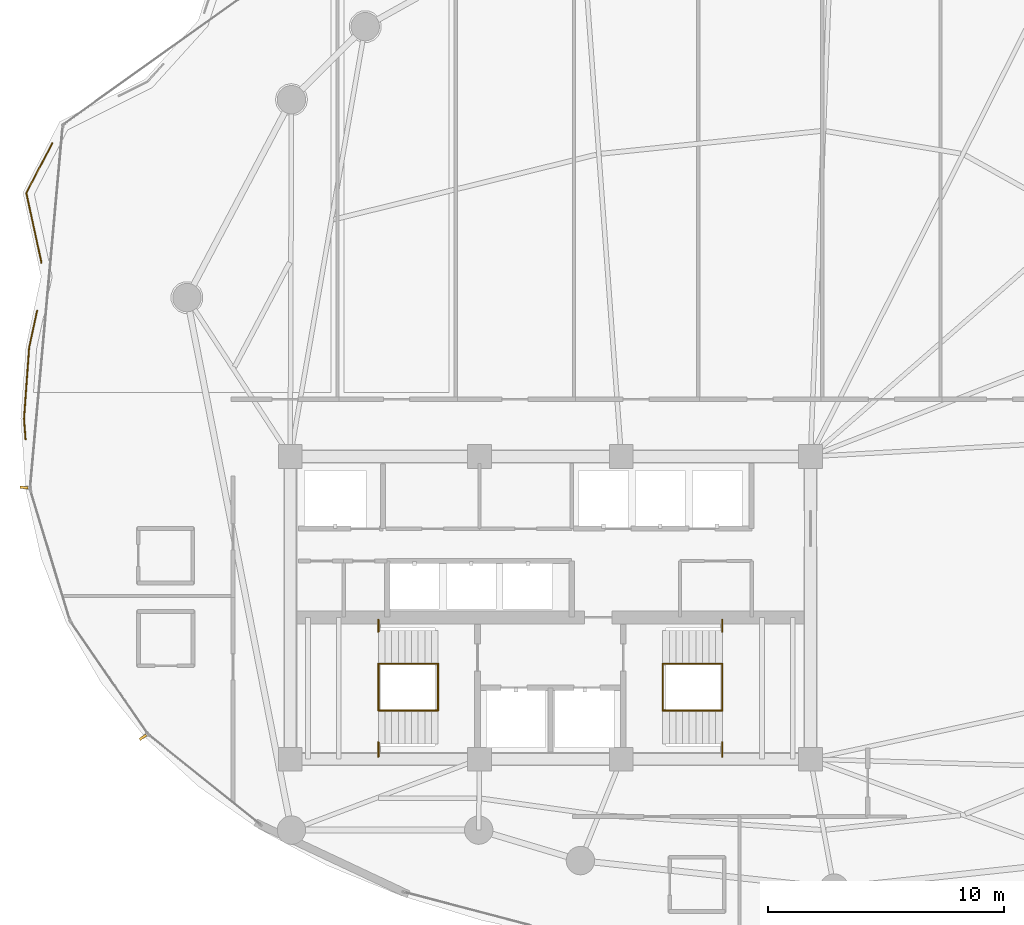
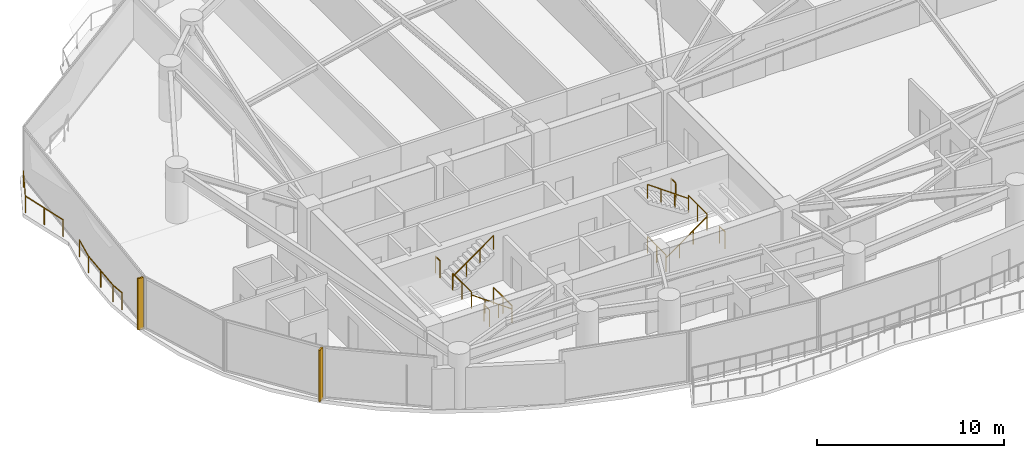
# One storey, part 31 of 33: 14 railings, 2 shading devices.
"""IFC4 building model written with IfcOpenShell, lengths in metres."""

import ifcopenshell
import ifcopenshell.guid

model = None  # the IFC model being written
_history = None  # IfcOwnerHistory: only IFC2X3 demands one
_inside = {}  # id of a spatial element -> (the spatial element, [elements in it])
_under = {}  # id of a project, library or spatial element -> (it, [spatial elements below it])
_declared = {}  # id of a project -> (the project, [libraries it declares])
_typed = {}  # id of a type object -> (the type object, [elements of that type])
_made_of = {}  # id of a material, layer set ... -> (it, [elements and type objects made of it])


def new_model(schema):
    """Start an empty IFC model of exactly this schema.

    Asked for "IFC4X3", IfcOpenShell would pick the latest addendum, in which some entities
    have other attributes; the version numbers below select the first issue.
    IFC2X3 requires an IfcOwnerHistory on every rooted entity: one is made here for all.
    """
    global model, _history
    if schema == "IFC4X3":
        model = ifcopenshell.file(schema_version=(4, 3, 0, 0))
    else:
        model = ifcopenshell.file(schema=schema)
    _inside.clear()
    _under.clear()
    _declared.clear()
    _typed.clear()
    _made_of.clear()
    _history = None
    if model.schema == "IFC2X3":
        org = make("IfcOrganization", Name="unknown")
        user = make(
            "IfcPersonAndOrganization",
            ThePerson=make("IfcPerson", FamilyName="unknown"),
            TheOrganization=org,
        )
        app = make(
            "IfcApplication",
            ApplicationDeveloper=org,
            Version="unknown",
            ApplicationFullName="unknown",
            ApplicationIdentifier="unknown",
        )
        _history = make(
            "IfcOwnerHistory",
            OwningUser=user,
            OwningApplication=app,
            ChangeAction="ADDED",
            CreationDate=0,
        )
    return model


def make(cls, **values):
    """One entity of the class cls with the attributes given. An attribute that is None is left unset."""
    return model.create_entity(
        cls, **{name: value for name, value in values.items() if value is not None}
    )


def rooted(cls, **values):
    """An entity with a GlobalId (a new one), such as an element, a storey or a relation."""
    return make(cls, GlobalId=ifcopenshell.guid.new(), OwnerHistory=_history, **values)


def si_unit(unit_type, name, prefix=None):
    """IfcSIUnit, for example si_unit("LENGTHUNIT", "METRE", prefix="MILLI")."""
    return make("IfcSIUnit", UnitType=unit_type, Prefix=prefix, Name=name)


def assignment(units):
    """IfcUnitAssignment: the units of a project."""
    return None if units is None else make("IfcUnitAssignment", Units=units)


def point(xyz):
    """IfcCartesianPoint."""
    return None if xyz is None else make("IfcCartesianPoint", Coordinates=xyz)


def direction(xyz):
    """IfcDirection."""
    return None if xyz is None else make("IfcDirection", DirectionRatios=xyz)


def frame(location, z_axis=None, x_axis=None):
    """IfcAxis2Placement3D, a coordinate frame: its origin and axes. An axis left out is left unset."""
    return make(
        "IfcAxis2Placement3D",
        Location=point(location),
        Axis=direction(z_axis),
        RefDirection=direction(x_axis),
    )


def frame_2d(location, x_axis=None):
    """IfcAxis2Placement2D, a coordinate frame in the plane: its origin and x axis."""
    return make(
        "IfcAxis2Placement2D", Location=point(location), RefDirection=direction(x_axis)
    )


def origin():
    """The frame at (0, 0, 0) with its axes left unset."""
    return frame((0.0, 0.0, 0.0))


def origin_2d():
    """The frame at (0, 0) in the plane with its x axis left unset."""
    return frame_2d((0.0, 0.0))


def place(relative_to, where):
    """IfcLocalPlacement: puts the frame where relative to a parent placement (None: the world)."""
    return make(
        "IfcLocalPlacement", PlacementRelTo=relative_to, RelativePlacement=where
    )


def context(
    kind, dimensions, precision=None, world=None, true_north=None, identifier=None
):
    """IfcGeometricRepresentationContext, for example the 3D "Model" context."""
    return make(
        "IfcGeometricRepresentationContext",
        ContextIdentifier=identifier,
        ContextType=kind,
        CoordinateSpaceDimension=dimensions,
        Precision=precision,
        WorldCoordinateSystem=world,
        TrueNorth=true_north,
    )


def subcontext(parent, identifier, kind, view, scale=None):
    """IfcGeometricRepresentationSubContext, for example "Body" below "Model"."""
    return make(
        "IfcGeometricRepresentationSubContext",
        ContextIdentifier=identifier,
        ContextType=kind,
        ParentContext=parent,
        TargetScale=scale,
        TargetView=view,
    )


def project(units=None, contexts=None):
    """IfcProject with its units and contexts."""
    return rooted(
        "IfcProject",
        Name="project",
        RepresentationContexts=contexts,
        UnitsInContext=assignment(units),
    )


def spatial(cls, under=None, at=None, **own):
    """A site, building, storey or space (cls), placed at a placement, below another one or the project."""
    s = rooted(cls, ObjectPlacement=at, **own)
    if under is not None:
        _under.setdefault(under.id(), (under, []))[1].append(s)
    return s


def profile(cls, at=None, kind="AREA", **sizes):
    """A parametric profile (cls). Its sizes go by their IFC names, for example OverallWidth=200.0."""
    return make(cls, ProfileType=kind, Position=at, **sizes)


def rectangle(**sizes):
    """IfcRectangleProfileDef."""
    return profile("IfcRectangleProfileDef", **sizes)


def extrude(swept, where, along, depth):
    """IfcExtrudedAreaSolid: the profile swept, set in the frame where, extruded along a direction by depth."""
    return make(
        "IfcExtrudedAreaSolid",
        SweptArea=swept,
        Position=where,
        ExtrudedDirection=direction(along),
        Depth=depth,
    )


def shape(context_of_items, identifier, shape_type, items):
    """IfcShapeRepresentation: the items that make up one representation, for example the "Body"."""
    return make(
        "IfcShapeRepresentation",
        ContextOfItems=context_of_items,
        RepresentationIdentifier=identifier,
        RepresentationType=shape_type,
        Items=items,
    )


def material(Name=None, Category=None):
    """IfcMaterial."""
    return make("IfcMaterial", Name=Name, Category=Category)


def made_of(thing, what):
    """Note that an element or type object is made of a material, layer set ...; save() writes the relation."""
    if what is not None:
        _made_of.setdefault(what.id(), (what, []))[1].append(thing)
    return thing


def type_object(cls, material=None, **own):
    """A type object (cls), such as IfcWallType, which elements share."""
    return made_of(rooted(cls, **own), material)


def element(
    cls,
    number,
    at=None,
    inside=None,
    cuts=None,
    type_object=None,
    material=None,
    context=None,
    identifier="Body",
    shape_type=None,
    held_by="IfcProductDefinitionShape",
    body=None,
    shapes=None,
    **own,
):
    """One element of the class cls, such as IfcWall. Its Tag is "e" and its number.

    at: its placement. inside: the storey or other place that contains it. cuts: it is an
    opening in that element (IfcRelVoidsElement). A single representation is given by context,
    identifier, shape_type and body (its items); several are given by shapes. held_by: the class
    of the entity that holds the representations. save() writes the other relations.
    """
    e = rooted(cls, Tag="e%d" % number, ObjectPlacement=at, **own)
    if body is not None:
        shapes = [shape(context, identifier, shape_type, body)]
    if shapes is not None:
        e.Representation = make(held_by, Representations=shapes)
    if inside is not None:
        _inside.setdefault(inside.id(), (inside, []))[1].append(e)
    if cuts is not None:
        rooted(
            "IfcRelVoidsElement", RelatingBuildingElement=cuts, RelatedOpeningElement=e
        )
    if type_object is not None:
        _typed.setdefault(type_object.id(), (type_object, []))[1].append(e)
    return made_of(e, material)


def aggregate(whole, parts):
    """IfcRelAggregates: a whole, such as a stair, and the parts it consists of."""
    return rooted("IfcRelAggregates", RelatingObject=whole, RelatedObjects=parts)


def save(model, path):
    """Write the relations noted so far, then the file.

    IfcRelAggregates (storeys below a building ...), IfcRelContainedInSpatialStructure (elements
    in a storey), IfcRelDefinesByType, IfcRelAssociatesMaterial and IfcRelDeclares: one each for
    every whole, place, type object, material and project.
    """
    for whole, parts in _under.values():
        aggregate(whole, parts)
    for where, things in _inside.values():
        rooted(
            "IfcRelContainedInSpatialStructure",
            RelatedElements=things,
            RelatingStructure=where,
        )
    for kind, things in _typed.values():
        rooted("IfcRelDefinesByType", RelatedObjects=things, RelatingType=kind)
    for what, things in _made_of.values():
        rooted("IfcRelAssociatesMaterial", RelatedObjects=things, RelatingMaterial=what)
    for by, libraries in _declared.values():
        rooted("IfcRelDeclares", RelatingContext=by, RelatedDefinitions=libraries)
    model.write(path)


model = new_model("IFC4")

# Units and contexts
model_context = context("Model", 3, precision=1e-05, world=origin(), true_north=direction((0.0, 1.0)))
body_context = subcontext(model_context, "Body", "Model", "MODEL_VIEW")
ifc_project = project(units=[si_unit("LENGTHUNIT", "METRE"), si_unit("AREAUNIT", "SQUARE_METRE"), si_unit("VOLUMEUNIT", "CUBIC_METRE"), si_unit("PLANEANGLEUNIT", "RADIAN"), si_unit("MASSUNIT", "GRAM", prefix="KILO")], contexts=[model_context])

# Site, building, storey
site_placement = place(None, origin())
site = spatial("IfcSite", under=ifc_project, at=site_placement, CompositionType="ELEMENT")
building_placement = place(site_placement, origin())
building = spatial("IfcBuilding", under=site, at=building_placement, Name="Kazevale Care Tower and Concert Hall", CompositionType="ELEMENT")
storey_placement = place(building_placement, frame((0.0, 0.0, 149.39990234375)))
storey = spatial("IfcBuildingStorey", under=building, at=storey_placement, Name="L39", CompositionType="ELEMENT", Elevation=149.39990234375)

# Railings
ifc_material_1 = material(Name="Anodised Bronze Aluminium and Laminated Glass", Category="aluminium")
railing_type_1 = type_object("IfcRailingType", Name="Balcony and Terrace Balustrade 1120", PredefinedType="BALUSTRADE", material=ifc_material_1)
railing_1_placement = place(storey_placement, frame((10.802978515625, 37.1298828125, 0.0)))
element("IfcRailing", 1, at=railing_1_placement, inside=storey, type_object=railing_type_1, Name="rail:L39:perim:1", PredefinedType="BALUSTRADE", context=body_context, shape_type="SweptSolid", body=[
    extrude(rectangle(XDim=0.048095703125, YDim=0.048095703125, at=origin_2d()), frame((0.0, 0.0, 1.09619140625), z_axis=(-0.072201637043, 0.9973900559, 0.0), x_axis=(-0.9973900559, -0.072201637043, 0.0)), (0.0, 0.0, 1.0), 0.872314453125),
    extrude(rectangle(XDim=0.048095703125, YDim=0.048095703125, at=origin_2d()), frame((-0.06298828125, 0.8701171875, 1.09619140625), z_axis=(0.071442989214, 0.997444684828, 0.0), x_axis=(-0.997444684828, 0.071442989214, 0.0)), (0.0, 0.0, 1.0), 3.0107421875),
    extrude(rectangle(XDim=0.048095703125, YDim=0.048095703125, at=origin_2d()), frame((0.152099609375, 3.873046875, 1.09619140625), z_axis=(0.211602003156, 0.977355918926, 0.0), x_axis=(-0.977355918926, 0.211602003156, 0.0)), (0.0, 0.0, 1.0), 1.59228515625),
    extrude(rectangle(XDim=0.0419921875, YDim=0.0419921875, at=origin_2d()), origin(), (0.0, 0.0, 1.0), 1.072021484375),
    extrude(rectangle(XDim=0.0419921875, YDim=0.0419921875, at=origin_2d()), frame((-0.06298828125, 0.8701171875, 0.0)), (0.0, 0.0, 1.0), 1.072021484375),
    extrude(rectangle(XDim=0.0419921875, YDim=0.0419921875, at=origin_2d()), frame((0.04443359375, 2.37158203125, 0.0)), (0.0, 0.0, 1.0), 1.072021484375),
    extrude(rectangle(XDim=0.0419921875, YDim=0.0419921875, at=origin_2d()), frame((0.152099609375, 3.873046875, 0.0)), (0.0, 0.0, 1.0), 1.072021484375),
    extrude(rectangle(XDim=0.0419921875, YDim=0.0419921875, at=origin_2d()), frame((0.489013671875, 5.42919921875, 0.0)), (0.0, 0.0, 1.0), 1.072021484375),
])
railing_2_placement = place(storey_placement, frame((11.47607421875, 44.60400390625, 0.0)))
element("IfcRailing", 2, at=railing_2_placement, inside=storey, type_object=railing_type_1, Name="rail:L39:perim:2", PredefinedType="BALUSTRADE", context=body_context, shape_type="SweptSolid", body=[
    extrude(rectangle(XDim=0.048095703125, YDim=0.048095703125, at=origin_2d()), frame((0.0, 0.0, 1.09619140625), z_axis=(-0.212577968592, 0.977144107729, 0.0), x_axis=(-0.977144107729, -0.212577968592, 0.0)), (0.0, 0.0, 1.0), 3.006591796875),
    extrude(rectangle(XDim=0.048095703125, YDim=0.048095703125, at=origin_2d()), frame((-0.63916015625, 2.93798828125, 1.09619140625), z_axis=(0.461674148764, 0.887049592956, 0.0), x_axis=(-0.887049592956, 0.461674148764, 0.0)), (0.0, 0.0, 1.0), 2.367431640625),
    extrude(rectangle(XDim=0.0419921875, YDim=0.0419921875, at=origin_2d()), origin(), (0.0, 0.0, 1.0), 1.072021484375),
    extrude(rectangle(XDim=0.0419921875, YDim=0.0419921875, at=origin_2d()), frame((-0.319580078125, 1.468994140625, 0.0)), (0.0, 0.0, 1.0), 1.072021484375),
    extrude(rectangle(XDim=0.0419921875, YDim=0.0419921875, at=origin_2d()), frame((-0.63916015625, 2.93798828125, 0.0)), (0.0, 0.0, 1.0), 1.072021484375),
    extrude(rectangle(XDim=0.0419921875, YDim=0.0419921875, at=origin_2d()), frame((0.453857421875, 5.0380859375, 0.0)), (0.0, 0.0, 1.0), 1.072021484375),
])
ifc_material_2 = material(Name="Stainless Steel 316", Category="steel")
railing_type_2 = type_object("IfcRailingType", Name="Stair Pitch Handrail 920", PredefinedType="HANDRAIL", material=ifc_material_2)
railing_3_placement = place(storey_placement, frame((28.25, 25.659912109375, 0.0)))
element("IfcRailing", 3, at=railing_3_placement, inside=storey, type_object=railing_type_2, Name="stair:L39:ST1:hr1", PredefinedType="HANDRAIL", context=body_context, shape_type="SweptSolid", body=[
    extrude(rectangle(XDim=0.048095703125, YDim=0.048095703125, at=origin_2d()), frame((0.0, 0.0, 0.89599609375), z_axis=(-0.813728144527, 0.0, 0.581245650998), x_axis=(0.0, -1.0, 0.0)), (0.0, 0.0, 1.0), 3.096923828125),
    extrude(rectangle(XDim=0.0419921875, YDim=0.0419921875, at=origin_2d()), origin(), (0.0, 0.0, 1.0), 0.871826171875),
    extrude(rectangle(XDim=0.0419921875, YDim=0.0419921875, at=origin_2d()), frame((-0.840087890625, 0.0, 0.60009765625)), (0.0, 0.0, 1.0), 0.871826171875),
    extrude(rectangle(XDim=0.0419921875, YDim=0.0419921875, at=origin_2d()), frame((-1.679931640625, 0.0, 1.199951171875)), (0.0, 0.0, 1.0), 0.871826171875),
    extrude(rectangle(XDim=0.0419921875, YDim=0.0419921875, at=origin_2d()), frame((-2.52001953125, 0.0, 1.800048828125)), (0.0, 0.0, 1.0), 0.871826171875),
])
for number, where, name in (
    (4, (25.72998046875, 27.639892578125, 1.800048828125), "stair:L39:ST1:hr2"),
    (5, (37.75, 25.659912109375, 0.0), "stair:L39:ST2:hr1"),
):
    element("IfcRailing", number, at=place(storey_placement, frame(where)), inside=storey, type_object=railing_type_2, Name=name, PredefinedType="HANDRAIL", context=body_context, shape_type="SweptSolid", body=[
        extrude(rectangle(XDim=0.048095703125, YDim=0.048095703125, at=origin_2d()), frame((0.0, 0.0, 0.89599609375), z_axis=(0.813728144527, 0.0, 0.581245650998), x_axis=(0.0, 1.0, 0.0)), (0.0, 0.0, 1.0), 3.096923828125),
        extrude(rectangle(XDim=0.0419921875, YDim=0.0419921875, at=origin_2d()), origin(), (0.0, 0.0, 1.0), 0.871826171875),
        extrude(rectangle(XDim=0.0419921875, YDim=0.0419921875, at=origin_2d()), frame((0.840087890625, 0.0, 0.60009765625)), (0.0, 0.0, 1.0), 0.871826171875),
        extrude(rectangle(XDim=0.0419921875, YDim=0.0419921875, at=origin_2d()), frame((1.679931640625, 0.0, 1.199951171875)), (0.0, 0.0, 1.0), 0.871826171875),
        extrude(rectangle(XDim=0.0419921875, YDim=0.0419921875, at=origin_2d()), frame((2.52001953125, 0.0, 1.800048828125)), (0.0, 0.0, 1.0), 0.871826171875),
    ])
railing_4_placement = place(storey_placement, frame((40.27001953125, 27.639892578125, 1.800048828125)))
element("IfcRailing", 6, at=railing_4_placement, inside=storey, type_object=railing_type_2, Name="stair:L39:ST2:hr2", PredefinedType="HANDRAIL", context=body_context, shape_type="SweptSolid", body=[
    extrude(rectangle(XDim=0.048095703125, YDim=0.048095703125, at=origin_2d()), frame((0.0, 0.0, 0.89599609375), z_axis=(-0.813728144527, 0.0, 0.581245650998), x_axis=(0.0, -1.0, 0.0)), (0.0, 0.0, 1.0), 3.096923828125),
    extrude(rectangle(XDim=0.0419921875, YDim=0.0419921875, at=origin_2d()), origin(), (0.0, 0.0, 1.0), 0.871826171875),
    extrude(rectangle(XDim=0.0419921875, YDim=0.0419921875, at=origin_2d()), frame((-0.840087890625, 0.0, 0.60009765625)), (0.0, 0.0, 1.0), 0.871826171875),
    extrude(rectangle(XDim=0.0419921875, YDim=0.0419921875, at=origin_2d()), frame((-1.679931640625, 0.0, 1.199951171875)), (0.0, 0.0, 1.0), 0.871826171875),
    extrude(rectangle(XDim=0.0419921875, YDim=0.0419921875, at=origin_2d()), frame((-2.52001953125, 0.0, 1.800048828125)), (0.0, 0.0, 1.0), 0.871826171875),
])
railing_type_3 = type_object("IfcRailingType", Name="Stair Well Guard Balustrade 1120", PredefinedType="BALUSTRADE", material=ifc_material_2)
railing_5_placement = place(storey_placement, frame((25.72998046875, 23.699951171875, 1.800048828125)))
element("IfcRailing", 7, at=railing_5_placement, inside=storey, type_object=railing_type_3, Name="stair:L39:ST1:grd_side1", PredefinedType="BALUSTRADE", context=body_context, shape_type="SweptSolid", body=[
    extrude(rectangle(XDim=0.048095703125, YDim=0.048095703125, at=origin_2d()), frame((0.0, 0.0, 1.09619140625), z_axis=(0.0, 1.0, 0.0), x_axis=(-1.0, 0.0, 0.0)), (0.0, 0.0, 1.0), 0.610107421875),
    extrude(rectangle(XDim=0.0419921875, YDim=0.0419921875, at=origin_2d()), origin(), (0.0, 0.0, 1.0), 1.072021484375),
    extrude(rectangle(XDim=0.0419921875, YDim=0.0419921875, at=origin_2d()), frame((0.0, 0.610107421875, 0.0)), (0.0, 0.0, 1.0), 1.072021484375),
])
railing_6_placement = place(storey_placement, frame((25.72998046875, 28.989990234375, 1.800048828125)))
element("IfcRailing", 8, at=railing_6_placement, inside=storey, type_object=railing_type_3, Name="stair:L39:ST1:grd_side2", PredefinedType="BALUSTRADE", context=body_context, shape_type="SweptSolid", body=[
    extrude(rectangle(XDim=0.048095703125, YDim=0.048095703125, at=origin_2d()), frame((0.0, 0.0, 1.09619140625), z_axis=(0.0, 1.0, 0.0), x_axis=(-1.0, 0.0, 0.0)), (0.0, 0.0, 1.0), 0.510009765625),
    extrude(rectangle(XDim=0.0419921875, YDim=0.0419921875, at=origin_2d()), origin(), (0.0, 0.0, 1.0), 1.072021484375),
    extrude(rectangle(XDim=0.0419921875, YDim=0.0419921875, at=origin_2d()), frame((0.0, 0.510009765625, 0.0)), (0.0, 0.0, 1.0), 1.072021484375),
])
for number, where, name in (
    (9, (25.72998046875, 25.659912109375, 1.800048828125), "stair:L39:ST1:grd_mid"),
    (10, (28.25, 25.659912109375, 0.0), "stair:L39:ST1:grd_flr"),
):
    element("IfcRailing", number, at=place(storey_placement, frame(where)), inside=storey, type_object=railing_type_3, Name=name, PredefinedType="BALUSTRADE", context=body_context, shape_type="SweptSolid", body=[
        extrude(rectangle(XDim=0.048095703125, YDim=0.048095703125, at=origin_2d()), frame((0.0, 0.0, 1.09619140625), z_axis=(0.0, 1.0, 0.0), x_axis=(-1.0, 0.0, 0.0)), (0.0, 0.0, 1.0), 1.97998046875),
        extrude(rectangle(XDim=0.0419921875, YDim=0.0419921875, at=origin_2d()), origin(), (0.0, 0.0, 1.0), 1.072021484375),
        extrude(rectangle(XDim=0.0419921875, YDim=0.0419921875, at=origin_2d()), frame((0.0, 0.989990234375, 0.0)), (0.0, 0.0, 1.0), 1.072021484375),
        extrude(rectangle(XDim=0.0419921875, YDim=0.0419921875, at=origin_2d()), frame((0.0, 1.97998046875, 0.0)), (0.0, 0.0, 1.0), 1.072021484375),
    ])
railing_7_placement = place(storey_placement, frame((40.27001953125, 23.699951171875, 1.800048828125)))
element("IfcRailing", 11, at=railing_7_placement, inside=storey, type_object=railing_type_3, Name="stair:L39:ST2:grd_side1", PredefinedType="BALUSTRADE", context=body_context, shape_type="SweptSolid", body=[
    extrude(rectangle(XDim=0.048095703125, YDim=0.048095703125, at=origin_2d()), frame((0.0, 0.0, 1.09619140625), z_axis=(0.0, 1.0, 0.0), x_axis=(-1.0, 0.0, 0.0)), (0.0, 0.0, 1.0), 0.610107421875),
    extrude(rectangle(XDim=0.0419921875, YDim=0.0419921875, at=origin_2d()), origin(), (0.0, 0.0, 1.0), 1.072021484375),
    extrude(rectangle(XDim=0.0419921875, YDim=0.0419921875, at=origin_2d()), frame((0.0, 0.610107421875, 0.0)), (0.0, 0.0, 1.0), 1.072021484375),
])
railing_8_placement = place(storey_placement, frame((40.27001953125, 28.989990234375, 1.800048828125)))
element("IfcRailing", 12, at=railing_8_placement, inside=storey, type_object=railing_type_3, Name="stair:L39:ST2:grd_side2", PredefinedType="BALUSTRADE", context=body_context, shape_type="SweptSolid", body=[
    extrude(rectangle(XDim=0.048095703125, YDim=0.048095703125, at=origin_2d()), frame((0.0, 0.0, 1.09619140625), z_axis=(0.0, 1.0, 0.0), x_axis=(-1.0, 0.0, 0.0)), (0.0, 0.0, 1.0), 0.510009765625),
    extrude(rectangle(XDim=0.0419921875, YDim=0.0419921875, at=origin_2d()), origin(), (0.0, 0.0, 1.0), 1.072021484375),
    extrude(rectangle(XDim=0.0419921875, YDim=0.0419921875, at=origin_2d()), frame((0.0, 0.510009765625, 0.0)), (0.0, 0.0, 1.0), 1.072021484375),
])
for number, where, name in (
    (13, (40.27001953125, 25.659912109375, 1.800048828125), "stair:L39:ST2:grd_mid"),
    (14, (37.75, 25.659912109375, 0.0), "stair:L39:ST2:grd_flr"),
):
    element("IfcRailing", number, at=place(storey_placement, frame(where)), inside=storey, type_object=railing_type_3, Name=name, PredefinedType="BALUSTRADE", context=body_context, shape_type="SweptSolid", body=[
        extrude(rectangle(XDim=0.048095703125, YDim=0.048095703125, at=origin_2d()), frame((0.0, 0.0, 1.09619140625), z_axis=(0.0, 1.0, 0.0), x_axis=(-1.0, 0.0, 0.0)), (0.0, 0.0, 1.0), 1.97998046875),
        extrude(rectangle(XDim=0.0419921875, YDim=0.0419921875, at=origin_2d()), origin(), (0.0, 0.0, 1.0), 1.072021484375),
        extrude(rectangle(XDim=0.0419921875, YDim=0.0419921875, at=origin_2d()), frame((0.0, 0.989990234375, 0.0)), (0.0, 0.0, 1.0), 1.072021484375),
        extrude(rectangle(XDim=0.0419921875, YDim=0.0419921875, at=origin_2d()), frame((0.0, 1.97998046875, 0.0)), (0.0, 0.0, 1.0), 1.072021484375),
    ])

# Shading devices
ifc_material_3 = material(Name="Anodised Bronze Aluminium", Category="aluminium")
shading_device_type = type_object("IfcShadingDeviceType", Name="Waist Anodised Bronze-Stone Fin FIN-02", PredefinedType="USERDEFINED", material=ifc_material_3)
for number, where, z_axis, x_axis, name in (
    (15, (15.7705078125, 24.525634765625, 0.0), (0.0, 0.0, 1.0), (-0.823334533242, -0.567556381667, 0.0), "cw:L39:f11:fin"),
    (16, (10.74365234375, 35.0869140625, 0.0), (0.0, 0.0, 1.0), (-0.995963111248, 0.089763472712, 0.0), "cw:L39:f13:fin"),
):
    element("IfcShadingDevice", number, at=place(storey_placement, frame(where, z_axis=z_axis, x_axis=x_axis)), inside=storey, type_object=shading_device_type, Name=name, ObjectType="FIN", PredefinedType="USERDEFINED", context=body_context, shape_type="SweptSolid", body=[
        extrude(rectangle(XDim=0.340087890625, YDim=0.10009765625, at=origin_2d()), origin(), (0.0, 0.0, 1.0), 3.360107421875),
    ])

save(model, "model.ifc")
